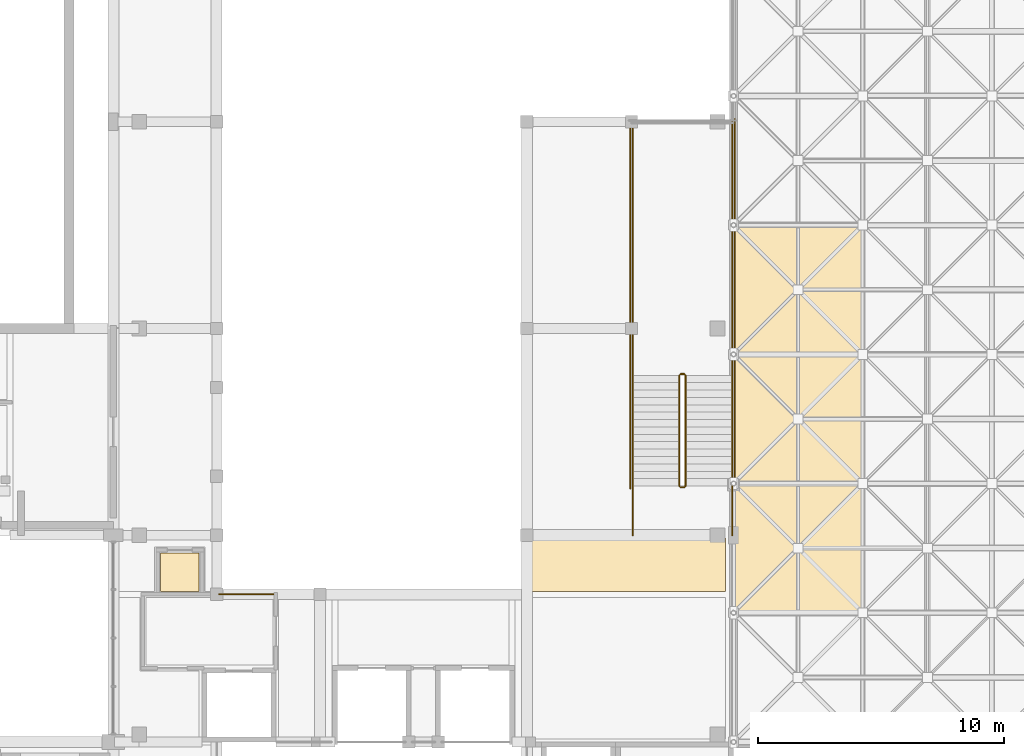
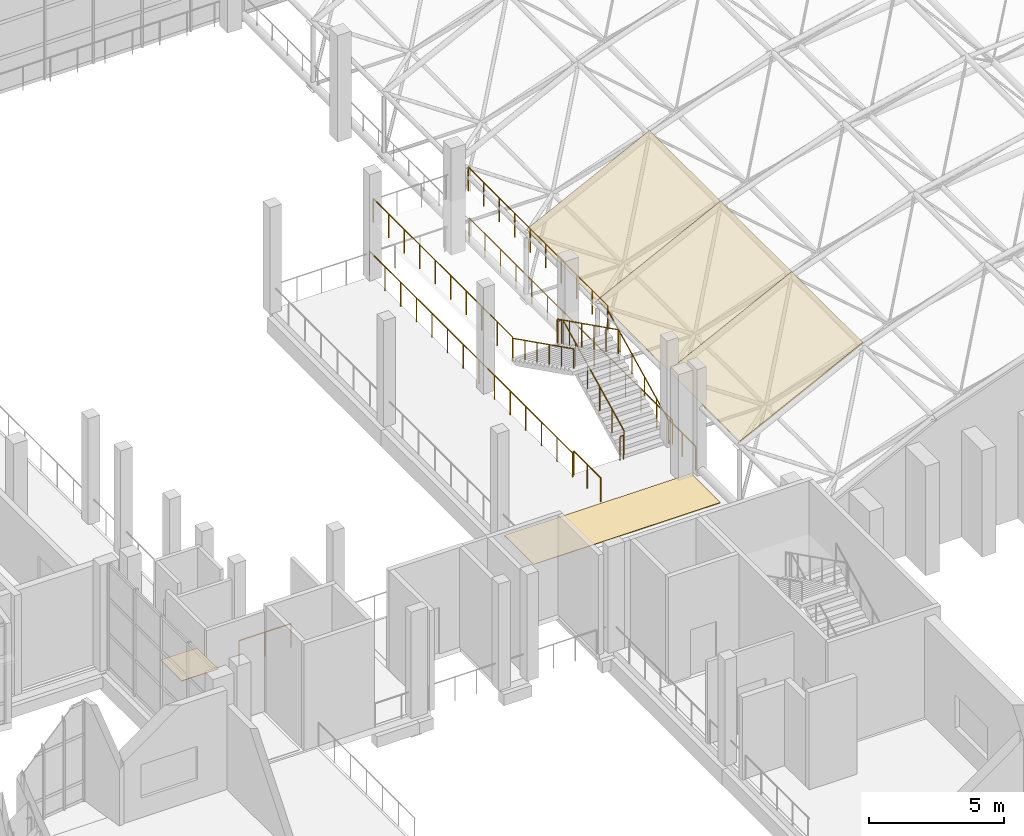
# One storey, part 91 of 100: 13 railings, 5 coverings.
"""IFC4 building model written with IfcOpenShell, lengths in metres."""

from ifc_helpers import new_model, si_unit, direction, frame, origin, origin_2d, place, context, subcontext, project, spatial, polyline, circle, outline, extrude, material, layer, layer_set, type_object, element, save


model = new_model("IFC4")

# Units and contexts
model_context = context("Model", 3, precision=1e-05, world=origin(), true_north=direction((0.0, 1.0)))
body_context = subcontext(model_context, "Body", "Model", "MODEL_VIEW")
ifc_project = project(units=[si_unit("LENGTHUNIT", "METRE"), si_unit("AREAUNIT", "SQUARE_METRE"), si_unit("VOLUMEUNIT", "CUBIC_METRE"), si_unit("PLANEANGLEUNIT", "RADIAN"), si_unit("MASSUNIT", "GRAM", prefix="KILO")], contexts=[model_context])

# Site, building, storey
site_placement = place(None, origin())
site = spatial("IfcSite", under=ifc_project, at=site_placement, CompositionType="ELEMENT")
building_placement = place(site_placement, origin())
building = spatial("IfcBuilding", under=site, at=building_placement, Name="Kiln Court Media Centre", CompositionType="ELEMENT")
storey_placement = place(building_placement, frame((0.0, 0.0, 15.0)))
storey = spatial("IfcBuildingStorey", under=building, at=storey_placement, Name="L03", CompositionType="ELEMENT", Elevation=15.0)

# Coverings
ifc_material_1 = material(Name="Terrazzo")
ifc_layer_1 = layer(ifc_material_1, 0.02490234375)
ifc_layer_set_1 = layer_set([ifc_layer_1], Name="Polished terrazzo floor finish 25")
covering_type_1 = type_object("IfcCoveringType", Name="Polished terrazzo floor finish 25", PredefinedType="FLOORING", material=ifc_layer_set_1)
covering_1_placement = place(storey_placement, origin())
element("IfcCovering", 1, at=covering_1_placement, inside=storey, type_object=covering_type_1, Name="Wheelchair Refuge floor finish", PredefinedType="FLOORING", context=body_context, shape_type="SweptSolid", body=[
    extrude(outline(polyline([(35.52001953125, 31.320068359375), (37.080078125, 31.320068359375), (37.080078125, 32.8798828125), (35.52001953125, 32.8798828125), (35.52001953125, 31.320068359375)])), origin(), (0.0, 0.0, 1.0), 0.02490234375),
])
covering_2_placement = place(storey_placement, origin())
element("IfcCovering", 2, at=covering_2_placement, inside=storey, type_object=covering_type_1, Name="Stair Landing Gallery floor finish", PredefinedType="FLOORING", context=body_context, shape_type="SweptSolid", body=[
    extrude(outline(polyline([(50.52001953125, 31.320068359375), (58.47998046875, 31.320068359375), (58.47998046875, 33.47998046875), (50.52001953125, 33.47998046875), (50.52001953125, 31.320068359375)])), origin(), (0.0, 0.0, 1.0), 0.02490234375),
])
ifc_material_2 = material(Name="Aluminium 3004 H34", Category="aluminium")
ifc_layer_2 = layer(ifc_material_2, 0.06005859375)
ifc_layer_set_2 = layer_set([ifc_layer_2], Name="Standing-seam aluminium roof panel 60")
covering_type_2 = type_object("IfcCoveringType", Name="Standing-seam aluminium roof panel 60", PredefinedType="ROOFING", material=ifc_layer_set_2)
for number, where, z_axis, x_axis, name in (
    (3, (58.800048828125, 30.449951171875, 3.203857421875), (-0.4472135955, 0.0, 0.894427191), (0.894427191, 0.0, 0.4472135955), "V1 roof panel 1.2"),
    (4, (58.800048828125, 35.699951171875, 3.203857421875), (-0.4472135955, 0.0, 0.894427191), (0.894427191, 0.0, 0.4472135955), "V1 roof panel 1.3"),
    (5, (58.800048828125, 40.949951171875, 3.203857421875), (-0.4472135955, 0.0, 0.894427191), (0.894427191, 0.0, 0.4472135955), "V1 roof panel 1.4"),
):
    element("IfcCovering", number, at=place(storey_placement, frame(where, z_axis=z_axis, x_axis=x_axis)), inside=storey, type_object=covering_type_2, Name=name, PredefinedType="ROOFING", context=body_context, shape_type="SweptSolid", body=[
        extrude(outline(polyline([(0.0, 0.0), (5.869678440936949, 0.0), (5.869678440936949, 5.25), (0.0, 5.25), (0.0, 0.0)])), origin(), (0.0, 0.0, -1.0), 0.06005859375),
    ])

# Railings
ifc_material_3 = material(Name="Steel S275", Category="steel")
railing_type_1 = type_object("IfcRailingType", Name="Steel S275 balustrade guard 1100", PredefinedType="GUARDRAIL", material=ifc_material_3)
railing_1_placement = place(storey_placement, frame((37.89501953125, 31.199951171875, 0.0)))
element("IfcRailing", 6, at=railing_1_placement, inside=storey, type_object=railing_type_1, Name="L03 void edge guard", PredefinedType="GUARDRAIL", context=body_context, shape_type="SweptSolid", body=[
    extrude(circle(Radius=0.02392578125, at=origin_2d()), frame((0.0, 0.0, 1.076171875), z_axis=(1.0, 0.0, 0.0), x_axis=(0.0, 1.0, 0.0)), (0.0, 0.0, 1.0), 2.2099609375),
    extrude(circle(Radius=0.02099609375, at=origin_2d()), origin(), (0.0, 0.0, 1.0), 1.052001953125),
    extrude(circle(Radius=0.02099609375, at=origin_2d()), frame((1.10498046875, 0.0, 0.0)), (0.0, 0.0, 1.0), 1.052001953125),
    extrude(circle(Radius=0.02099609375, at=origin_2d()), frame((2.2099609375, 0.0, 0.0)), (0.0, 0.0, 1.0), 1.052001953125),
])
ifc_material_4 = material(Name="Steel S275", Category="steel")
railing_type_2 = type_object("IfcRailingType", Name="Steel S275 stair guard 1100", PredefinedType="GUARDRAIL", material=ifc_material_4)
railing_2_placement = place(storey_placement, frame((56.85009765625, 35.60009765625, 0.14990234375)))
element("IfcRailing", 7, at=railing_2_placement, inside=storey, type_object=railing_type_2, Name="ST-F1 stair guard", PredefinedType="GUARDRAIL", context=body_context, shape_type="SweptSolid", body=[
    extrude(circle(Radius=0.02392578125, at=origin_2d()), frame((0.0, 0.0, 1.076171875), z_axis=(0.0, 0.894427191, 0.4472135955), x_axis=(-1.0, 0.0, 0.0)), (0.0, 0.0, 1.0), 5.03125),
    extrude(circle(Radius=0.02099609375, at=origin_2d()), origin(), (0.0, 0.0, 1.0), 1.052001953125),
    extrude(circle(Radius=0.02099609375, at=origin_2d()), frame((0.0, 0.89990234375, 0.449951171875)), (0.0, 0.0, 1.0), 1.052001953125),
    extrude(circle(Radius=0.02099609375, at=origin_2d()), frame((0.0, 1.800048828125, 0.89990234375)), (0.0, 0.0, 1.0), 1.052001953125),
    extrude(circle(Radius=0.02099609375, at=origin_2d()), frame((0.0, 2.699951171875, 1.35009765625)), (0.0, 0.0, 1.0), 1.052001953125),
    extrude(circle(Radius=0.02099609375, at=origin_2d()), frame((0.0, 3.60009765625, 1.800048828125)), (0.0, 0.0, 1.0), 1.052001953125),
    extrude(circle(Radius=0.02099609375, at=origin_2d()), frame((0.0, 4.5, 2.25)), (0.0, 0.0, 1.0), 1.052001953125),
])
railing_3_placement = place(storey_placement, frame((56.800048828125, 40.14990234375, 2.39990234375)))
element("IfcRailing", 8, at=railing_3_placement, inside=storey, type_object=railing_type_2, Name="ST-F1 stair guard", PredefinedType="GUARDRAIL", context=body_context, shape_type="SweptSolid", body=[
    extrude(circle(Radius=0.02392578125, at=origin_2d()), frame((0.0, 0.0, 1.076171875), z_axis=(-1.0, 0.0, 0.0), x_axis=(0.0, -1.0, 0.0)), (0.0, 0.0, 1.0), 0.150146484375),
    extrude(circle(Radius=0.02099609375, at=origin_2d()), origin(), (0.0, 0.0, 1.0), 1.052001953125),
    extrude(circle(Radius=0.02099609375, at=origin_2d()), frame((-0.150146484375, 0.0, 0.0)), (0.0, 0.0, 1.0), 1.052001953125),
])
for number, where, name in (
    (9, (58.75, 40.10009765625, 2.39990234375), "ST-F1 stair guard"),
    (10, (54.699951171875, 40.10009765625, 2.39990234375), "ST-F1 stair guard"),
):
    element("IfcRailing", number, at=place(storey_placement, frame(where)), inside=storey, type_object=railing_type_2, Name=name, PredefinedType="GUARDRAIL", context=body_context, shape_type="SweptSolid", body=[
        extrude(circle(Radius=0.02392578125, at=origin_2d()), frame((0.0, 0.0, 1.076171875), z_axis=(0.0, 1.0, 0.0), x_axis=(-1.0, 0.0, 0.0)), (0.0, 0.0, 1.0), 10.2998046875),
        extrude(circle(Radius=0.02099609375, at=origin_2d()), origin(), (0.0, 0.0, 1.0), 1.052001953125),
        extrude(circle(Radius=0.02099609375, at=origin_2d()), frame((0.0, 1.14453125, 0.0)), (0.0, 0.0, 1.0), 1.052001953125),
        extrude(circle(Radius=0.02099609375, at=origin_2d()), frame((0.0, 2.288818359375, 0.0)), (0.0, 0.0, 1.0), 1.052001953125),
        extrude(circle(Radius=0.02099609375, at=origin_2d()), frame((0.0, 3.433349609375, 0.0)), (0.0, 0.0, 1.0), 1.052001953125),
        extrude(circle(Radius=0.02099609375, at=origin_2d()), frame((0.0, 4.57763671875, 0.0)), (0.0, 0.0, 1.0), 1.052001953125),
        extrude(circle(Radius=0.02099609375, at=origin_2d()), frame((0.0, 5.72216796875, 0.0)), (0.0, 0.0, 1.0), 1.052001953125),
        extrude(circle(Radius=0.02099609375, at=origin_2d()), frame((0.0, 6.866455078125, 0.0)), (0.0, 0.0, 1.0), 1.052001953125),
        extrude(circle(Radius=0.02099609375, at=origin_2d()), frame((0.0, 8.010986328125, 0.0)), (0.0, 0.0, 1.0), 1.052001953125),
        extrude(circle(Radius=0.02099609375, at=origin_2d()), frame((0.0, 9.1552734375, 0.0)), (0.0, 0.0, 1.0), 1.052001953125),
        extrude(circle(Radius=0.02099609375, at=origin_2d()), frame((0.0, 10.2998046875, 0.0)), (0.0, 0.0, 1.0), 1.052001953125),
    ])
railing_4_placement = place(storey_placement, frame((56.60009765625, 40.10009765625, 2.550048828125)))
element("IfcRailing", 11, at=railing_4_placement, inside=storey, type_object=railing_type_2, Name="ST-F1 stair guard", PredefinedType="GUARDRAIL", context=body_context, shape_type="SweptSolid", body=[
    extrude(circle(Radius=0.02392578125, at=origin_2d()), frame((0.0, 0.0, 1.076171875), z_axis=(0.0, -0.894427191, 0.4472135955), x_axis=(1.0, 0.0, 0.0)), (0.0, 0.0, 1.0), 5.03125),
    extrude(circle(Radius=0.02099609375, at=origin_2d()), origin(), (0.0, 0.0, 1.0), 1.052001953125),
    extrude(circle(Radius=0.02099609375, at=origin_2d()), frame((0.0, -0.89990234375, 0.449951171875)), (0.0, 0.0, 1.0), 1.052001953125),
    extrude(circle(Radius=0.02099609375, at=origin_2d()), frame((0.0, -1.800048828125, 0.89990234375)), (0.0, 0.0, 1.0), 1.052001953125),
    extrude(circle(Radius=0.02099609375, at=origin_2d()), frame((0.0, -2.699951171875, 1.35009765625)), (0.0, 0.0, 1.0), 1.052001953125),
    extrude(circle(Radius=0.02099609375, at=origin_2d()), frame((0.0, -3.60009765625, 1.800048828125)), (0.0, 0.0, 1.0), 1.052001953125),
    extrude(circle(Radius=0.02099609375, at=origin_2d()), frame((0.0, -4.5, 2.25)), (0.0, 0.0, 1.0), 1.052001953125),
])
railing_5_placement = place(storey_placement, frame((56.800048828125, 35.550048828125, 0.0)))
element("IfcRailing", 12, at=railing_5_placement, inside=storey, type_object=railing_type_2, Name="ST-F1 stair guard", PredefinedType="GUARDRAIL", context=body_context, shape_type="SweptSolid", body=[
    extrude(circle(Radius=0.02392578125, at=origin_2d()), frame((0.0, 0.0, 1.076171875), z_axis=(-1.0, 0.0, 0.0), x_axis=(0.0, -1.0, 0.0)), (0.0, 0.0, 1.0), 0.150146484375),
    extrude(circle(Radius=0.02099609375, at=origin_2d()), origin(), (0.0, 0.0, 1.0), 1.052001953125),
    extrude(circle(Radius=0.02099609375, at=origin_2d()), frame((-0.150146484375, 0.0, 0.0)), (0.0, 0.0, 1.0), 1.052001953125),
])
for number, where, name in (
    (13, (58.75, 33.60009765625, 0.0), "ST-F1 stair guard"),
    (14, (54.699951171875, 33.60009765625, 0.0), "ST-F1 stair guard"),
):
    element("IfcRailing", number, at=place(storey_placement, frame(where)), inside=storey, type_object=railing_type_2, Name=name, PredefinedType="GUARDRAIL", context=body_context, shape_type="SweptSolid", body=[
        extrude(circle(Radius=0.02392578125, at=origin_2d()), frame((0.0, 0.0, 1.076171875), z_axis=(0.0, 1.0, 0.0), x_axis=(-1.0, 0.0, 0.0)), (0.0, 0.0, 1.0), 2.0),
        extrude(circle(Radius=0.02099609375, at=origin_2d()), origin(), (0.0, 0.0, 1.0), 1.052001953125),
        extrude(circle(Radius=0.02099609375, at=origin_2d()), frame((0.0, 1.0, 0.0)), (0.0, 0.0, 1.0), 1.052001953125),
        extrude(circle(Radius=0.02099609375, at=origin_2d()), frame((0.0, 2.0, 0.0)), (0.0, 0.0, 1.0), 1.052001953125),
    ])
railing_6_placement = place(storey_placement, frame((58.85009765625, 35.5, 0.0)))
element("IfcRailing", 15, at=railing_6_placement, inside=storey, type_object=railing_type_2, Name="ST-F1 stair guard", PredefinedType="GUARDRAIL", context=body_context, shape_type="SweptSolid", body=[
    extrude(circle(Radius=0.02392578125, at=origin_2d()), frame((0.0, 0.0, 1.076171875), z_axis=(0.0, 1.0, 0.0), x_axis=(-1.0, 0.0, 0.0)), (0.0, 0.0, 1.0), 15.0),
    extrude(circle(Radius=0.02099609375, at=origin_2d()), origin(), (0.0, 0.0, 1.0), 1.052001953125),
    extrude(circle(Radius=0.02099609375, at=origin_2d()), frame((0.0, 1.15380859375, 0.0)), (0.0, 0.0, 1.0), 1.052001953125),
    extrude(circle(Radius=0.02099609375, at=origin_2d()), frame((0.0, 2.3076171875, 0.0)), (0.0, 0.0, 1.0), 1.052001953125),
    extrude(circle(Radius=0.02099609375, at=origin_2d()), frame((0.0, 3.46142578125, 0.0)), (0.0, 0.0, 1.0), 1.052001953125),
    extrude(circle(Radius=0.02099609375, at=origin_2d()), frame((0.0, 4.615478515625, 0.0)), (0.0, 0.0, 1.0), 1.052001953125),
    extrude(circle(Radius=0.02099609375, at=origin_2d()), frame((0.0, 5.769287109375, 0.0)), (0.0, 0.0, 1.0), 1.052001953125),
    extrude(circle(Radius=0.02099609375, at=origin_2d()), frame((0.0, 6.923095703125, 0.0)), (0.0, 0.0, 1.0), 1.052001953125),
    extrude(circle(Radius=0.02099609375, at=origin_2d()), frame((0.0, 8.076904296875, 0.0)), (0.0, 0.0, 1.0), 1.052001953125),
    extrude(circle(Radius=0.02099609375, at=origin_2d()), frame((0.0, 9.230712890625, 0.0)), (0.0, 0.0, 1.0), 1.052001953125),
    extrude(circle(Radius=0.02099609375, at=origin_2d()), frame((0.0, 10.384521484375, 0.0)), (0.0, 0.0, 1.0), 1.052001953125),
    extrude(circle(Radius=0.02099609375, at=origin_2d()), frame((0.0, 11.53857421875, 0.0)), (0.0, 0.0, 1.0), 1.052001953125),
    extrude(circle(Radius=0.02099609375, at=origin_2d()), frame((0.0, 12.6923828125, 0.0)), (0.0, 0.0, 1.0), 1.052001953125),
    extrude(circle(Radius=0.02099609375, at=origin_2d()), frame((0.0, 13.84619140625, 0.0)), (0.0, 0.0, 1.0), 1.052001953125),
    extrude(circle(Radius=0.02099609375, at=origin_2d()), frame((0.0, 15.0, 0.0)), (0.0, 0.0, 1.0), 1.052001953125),
])
railing_7_placement = place(storey_placement, frame((54.60009765625, 35.5, 0.0)))
element("IfcRailing", 16, at=railing_7_placement, inside=storey, type_object=railing_type_2, Name="ST-F1 stair guard", PredefinedType="GUARDRAIL", context=body_context, shape_type="SweptSolid", body=[
    extrude(circle(Radius=0.02392578125, at=origin_2d()), frame((0.0, 0.0, 1.076171875), z_axis=(0.0, 1.0, 0.0), x_axis=(-1.0, 0.0, 0.0)), (0.0, 0.0, 1.0), 15.0),
    extrude(circle(Radius=0.02099609375, at=origin_2d()), origin(), (0.0, 0.0, 1.0), 1.052001953125),
    extrude(circle(Radius=0.02099609375, at=origin_2d()), frame((0.0, 1.15380859375, 0.0)), (0.0, 0.0, 1.0), 1.052001953125),
    extrude(circle(Radius=0.02099609375, at=origin_2d()), frame((0.0, 2.3076171875, 0.0)), (0.0, 0.0, 1.0), 1.052001953125),
    extrude(circle(Radius=0.02099609375, at=origin_2d()), frame((0.0, 3.46142578125, 0.0)), (0.0, 0.0, 1.0), 1.052001953125),
    extrude(circle(Radius=0.02099609375, at=origin_2d()), frame((0.0, 4.615478515625, 0.0)), (0.0, 0.0, 1.0), 1.052001953125),
    extrude(circle(Radius=0.02099609375, at=origin_2d()), frame((0.0, 5.769287109375, 0.0)), (0.0, 0.0, 1.0), 1.052001953125),
    extrude(circle(Radius=0.02099609375, at=origin_2d()), frame((0.0, 6.923095703125, 0.0)), (0.0, 0.0, 1.0), 1.052001953125),
    extrude(circle(Radius=0.02099609375, at=origin_2d()), frame((0.0, 8.076904296875, 0.0)), (0.0, 0.0, 1.0), 1.052001953125),
    extrude(circle(Radius=0.02099609375, at=origin_2d()), frame((0.0, 9.230712890625, 0.0)), (0.0, 0.0, 1.0), 1.052001953125),
    extrude(circle(Radius=0.02099609375, at=origin_2d()), frame((0.0, 10.384521484375, 0.0)), (0.0, 0.0, 1.0), 1.052001953125),
    extrude(circle(Radius=0.02099609375, at=origin_2d()), frame((0.0, 11.53857421875, 0.0)), (0.0, 0.0, 1.0), 1.052001953125),
    extrude(circle(Radius=0.02099609375, at=origin_2d()), frame((0.0, 12.6923828125, 0.0)), (0.0, 0.0, 1.0), 1.052001953125),
    extrude(circle(Radius=0.02099609375, at=origin_2d()), frame((0.0, 13.84619140625, 0.0)), (0.0, 0.0, 1.0), 1.052001953125),
    extrude(circle(Radius=0.02099609375, at=origin_2d()), frame((0.0, 15.0, 0.0)), (0.0, 0.0, 1.0), 1.052001953125),
])
ifc_material_5 = material(Name="Steel S275", Category="steel")
railing_type_3 = type_object("IfcRailingType", Name="Steel S275 stair handrail 900", PredefinedType="HANDRAIL", material=ifc_material_5)
railing_8_placement = place(storey_placement, frame((58.75, 35.60009765625, 0.14990234375)))
element("IfcRailing", 17, at=railing_8_placement, inside=storey, type_object=railing_type_3, Name="ST-F1 stair handrail", PredefinedType="HANDRAIL", context=body_context, shape_type="SweptSolid", body=[
    extrude(circle(Radius=0.02392578125, at=origin_2d()), frame((0.0, 0.0, 0.8759765625), z_axis=(0.0, 0.894427191, 0.4472135955), x_axis=(-1.0, 0.0, 0.0)), (0.0, 0.0, 1.0), 5.03125),
    extrude(circle(Radius=0.02099609375, at=origin_2d()), origin(), (0.0, 0.0, 1.0), 0.851806640625),
    extrude(circle(Radius=0.02099609375, at=origin_2d()), frame((0.0, 0.89990234375, 0.449951171875)), (0.0, 0.0, 1.0), 0.851806640625),
    extrude(circle(Radius=0.02099609375, at=origin_2d()), frame((0.0, 1.800048828125, 0.89990234375)), (0.0, 0.0, 1.0), 0.851806640625),
    extrude(circle(Radius=0.02099609375, at=origin_2d()), frame((0.0, 2.699951171875, 1.35009765625)), (0.0, 0.0, 1.0), 0.851806640625),
    extrude(circle(Radius=0.02099609375, at=origin_2d()), frame((0.0, 3.60009765625, 1.800048828125)), (0.0, 0.0, 1.0), 0.851806640625),
    extrude(circle(Radius=0.02099609375, at=origin_2d()), frame((0.0, 4.5, 2.25)), (0.0, 0.0, 1.0), 0.851806640625),
])
railing_9_placement = place(storey_placement, frame((54.699951171875, 40.10009765625, 2.550048828125)))
element("IfcRailing", 18, at=railing_9_placement, inside=storey, type_object=railing_type_3, Name="ST-F1 stair handrail", PredefinedType="HANDRAIL", context=body_context, shape_type="SweptSolid", body=[
    extrude(circle(Radius=0.02392578125, at=origin_2d()), frame((0.0, 0.0, 0.8759765625), z_axis=(0.0, -0.894427191, 0.4472135955), x_axis=(1.0, 0.0, 0.0)), (0.0, 0.0, 1.0), 5.03125),
    extrude(circle(Radius=0.02099609375, at=origin_2d()), origin(), (0.0, 0.0, 1.0), 0.851806640625),
    extrude(circle(Radius=0.02099609375, at=origin_2d()), frame((0.0, -0.89990234375, 0.449951171875)), (0.0, 0.0, 1.0), 0.851806640625),
    extrude(circle(Radius=0.02099609375, at=origin_2d()), frame((0.0, -1.800048828125, 0.89990234375)), (0.0, 0.0, 1.0), 0.851806640625),
    extrude(circle(Radius=0.02099609375, at=origin_2d()), frame((0.0, -2.699951171875, 1.35009765625)), (0.0, 0.0, 1.0), 0.851806640625),
    extrude(circle(Radius=0.02099609375, at=origin_2d()), frame((0.0, -3.60009765625, 1.800048828125)), (0.0, 0.0, 1.0), 0.851806640625),
    extrude(circle(Radius=0.02099609375, at=origin_2d()), frame((0.0, -4.5, 2.25)), (0.0, 0.0, 1.0), 0.851806640625),
])

save(model, "model.ifc")
